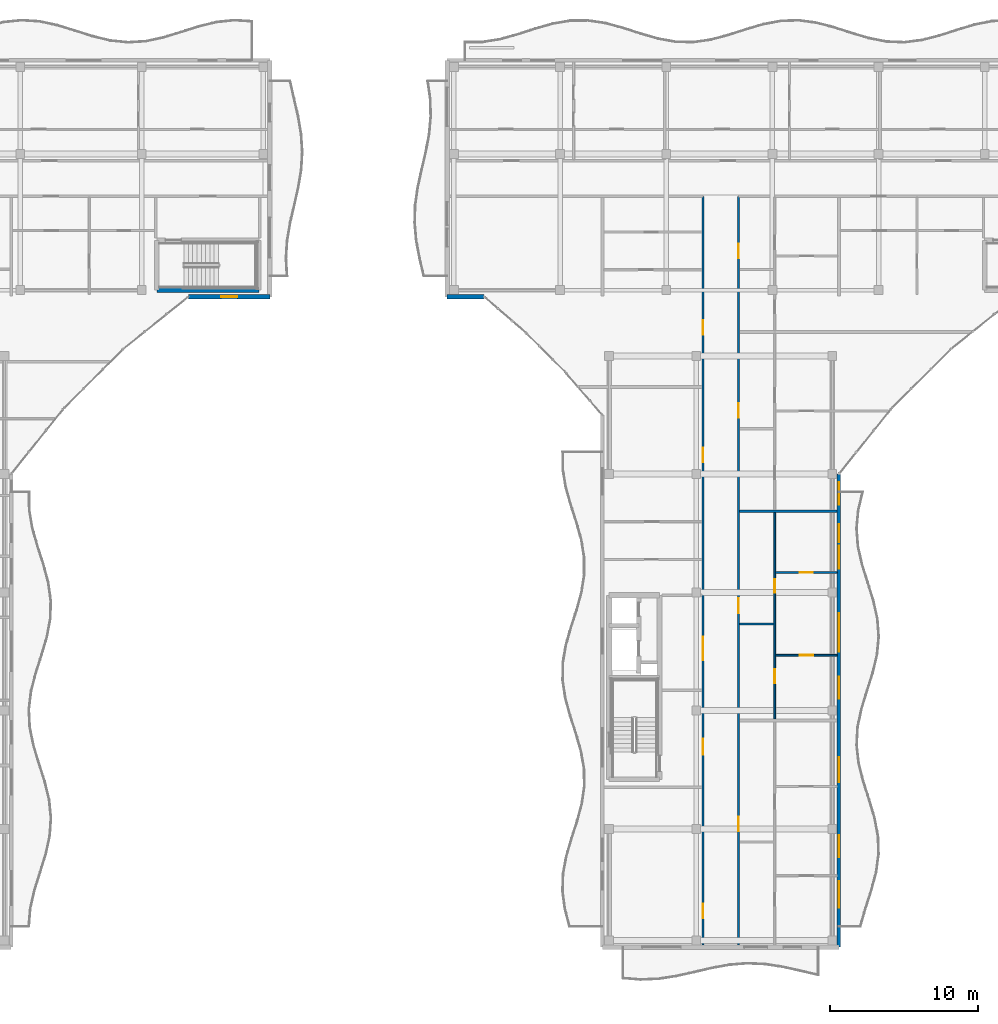
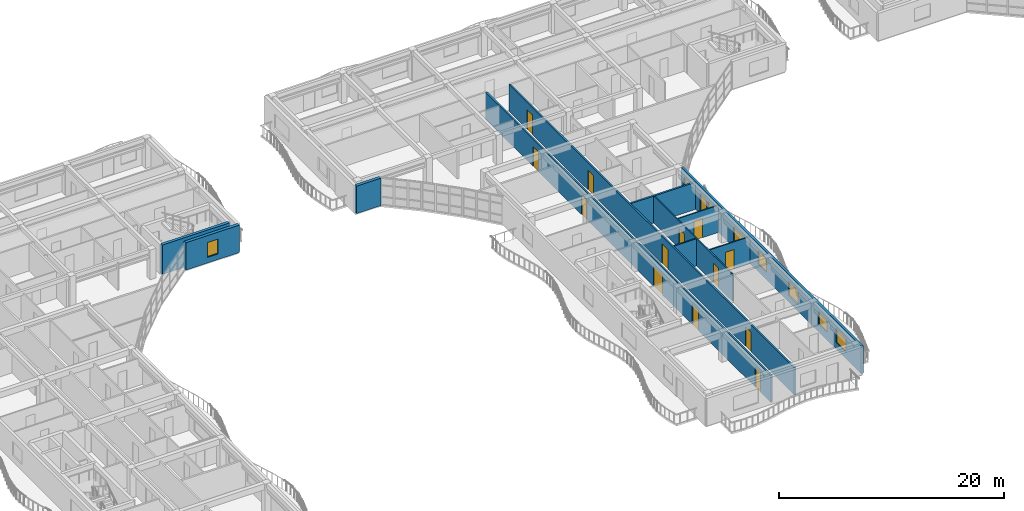
# One storey, part 38 of 72: 14 doors, 11 walls, 8 windows, 22 openings.
"""IFC4 building model written with IfcOpenShell, lengths in metres."""

from ifc_helpers import new_model, si_unit, direction, frame, frame_2d, origin, place, context, subcontext, project, spatial, rectangle, extrude, material, layer, layer_set, type_object, element, fill, save


model = new_model("IFC4")

# Units and contexts
model_context = context("Model", 3, precision=1e-05, world=origin(), true_north=direction((0.0, 1.0)))
body_context = subcontext(model_context, "Body", "Model", "MODEL_VIEW")
ifc_project = project(units=[si_unit("LENGTHUNIT", "METRE"), si_unit("AREAUNIT", "SQUARE_METRE"), si_unit("VOLUMEUNIT", "CUBIC_METRE"), si_unit("PLANEANGLEUNIT", "RADIAN"), si_unit("MASSUNIT", "GRAM", prefix="KILO")], contexts=[model_context])

# Site, building, storey
site_placement = place(None, origin())
site = spatial("IfcSite", under=ifc_project, at=site_placement, CompositionType="ELEMENT")
building_placement = place(site_placement, origin())
building = spatial("IfcBuilding", under=site, at=building_placement, Name="Keldmere Railside Commons", CompositionType="ELEMENT")
storey_placement = place(building_placement, frame((0.0, 0.0, 16.9599609375)))
storey = spatial("IfcBuildingStorey", under=building, at=storey_placement, Name="L05", CompositionType="ELEMENT", Elevation=16.9599609375)

# Wall
ifc_material_1 = material(Name="Acoustic Gypsum Board Partition", Category="gypsum")
ifc_layer_1 = layer(ifc_material_1, 0.179931640625, Name="Acoustic Demising Partition 180")
ifc_layer_set_1 = layer_set([ifc_layer_1], Name="Acoustic Gypsum Board Partition")
wall_type_1 = type_object("IfcWallType", Name="Acoustic Demising Partition 180", PredefinedType="PARTITIONING", material=ifc_layer_set_1)
wall_1_placement = place(storey_placement, frame((113.280029296875, 85.47998046875, 0.0), z_axis=(0.0, 0.0, 1.0), x_axis=(1.0, 0.0, 0.0)))
element("IfcWall", 1, at=wall_1_placement, inside=storey, type_object=wall_type_1, Name="IW-1 IW-L05-1105", PredefinedType="PARTITIONING", context=body_context, shape_type="SweptSolid", body=[
    extrude(rectangle(XDim=6.599853515625, YDim=0.179931640625, at=frame_2d((3.2998046875, 0.0))), origin(), (0.0, 0.0, 1.0), 2.93505859375),
])

# Wall, openings, doors
ifc_layer_2 = layer(ifc_material_1, 0.1201171875, Name="Apartment Interior Partition 120")
ifc_layer_set_2 = layer_set([ifc_layer_2], Name="Acoustic Gypsum Board Partition")
wall_type_2 = type_object("IfcWallType", Name="Apartment Interior Partition 120", PredefinedType="PARTITIONING", material=ifc_layer_set_2)
wall_2_placement = place(storey_placement, frame((115.659912109375, 71.419921875, 0.0), z_axis=(0.0, 0.0, 1.0), x_axis=(0.0, 1.0, 0.0)))
wall_2 = element("IfcWall", 2, at=wall_2_placement, inside=storey, type_object=wall_type_2, Name="IW-4 IW-L05-1111", PredefinedType="PARTITIONING", context=body_context, shape_type="SweptSolid", body=[
    extrude(rectangle(XDim=13.969970703125, YDim=0.1201171875, at=frame_2d((6.98486328125, 0.0))), origin(), (0.0, 0.0, 1.0), 2.93505859375),
])
opening_1_placement = place(wall_2_placement, frame((2.443359375, 0.0, 0.0)))
opening_1 = element("IfcOpeningElement", 3, at=opening_1_placement, cuts=wall_2, Name="Opening ID-05", PredefinedType="OPENING", context=body_context, shape_type="SweptSolid", body=[
    extrude(rectangle(XDim=0.93994140625, YDim=2.10009765625, at=frame_2d((0.469970703125, 1.050048828125))), frame((0.0, 0.070068359375, 0.0), z_axis=(0.0, -1.0, 0.0), x_axis=(1.0, 0.0, 0.0)), (0.0, 0.0, 1.0), 0.14013671875),
])
opening_2_placement = place(wall_2_placement, frame((8.541259765625, 0.0, 0.0)))
opening_2 = element("IfcOpeningElement", 4, at=opening_2_placement, cuts=wall_2, Name="Opening ID-03", PredefinedType="OPENING", context=body_context, shape_type="SweptSolid", body=[
    extrude(rectangle(XDim=0.919921875, YDim=2.10009765625, at=frame_2d((0.4599609375, 1.050048828125))), frame((0.0, 0.070068359375, 0.0), z_axis=(0.0, -1.0, 0.0), x_axis=(1.0, 0.0, 0.0)), (0.0, 0.0, 1.0), 0.14013671875),
])
ifc_material_2 = material(Name="Engineered Oak Timber", Category="wood")
door_type_1 = type_object("IfcDoorType", Name="Accessible Bathroom Door 940x2100", OperationType="NOTDEFINED", PredefinedType="DOOR", material=ifc_material_2)
door_1_placement = place(opening_1_placement, origin())
door_1 = element("IfcDoor", 5, at=door_1_placement, inside=storey, type_object=door_type_1, Name="ID-05 IDR-L05-0973", OperationType="SINGLE_SWING_LEFT", OverallHeight=2.10009765625, OverallWidth=0.93994140625, PredefinedType="DOOR", context=body_context, shape_type="SweptSolid", body=[
    extrude(rectangle(XDim=0.93994140625, YDim=2.10009765625, at=frame_2d((0.469970703125, 1.050048828125))), frame((0.0, 0.02490234375, 0.0), z_axis=(0.0, -1.0, 0.0), x_axis=(1.0, 0.0, 0.0)), (0.0, 0.0, 1.0), 0.050048828125),
])
fill(opening_1, door_1)
door_type_2 = type_object("IfcDoorType", Name="Kitchen Pocket-Frame Swing Door 920x2100", OperationType="NOTDEFINED", PredefinedType="DOOR", material=ifc_material_2)
door_2_placement = place(opening_2_placement, origin())
door_2 = element("IfcDoor", 6, at=door_2_placement, inside=storey, type_object=door_type_2, Name="ID-03 IDR-L05-0974", OperationType="SINGLE_SWING_RIGHT", OverallHeight=2.10009765625, OverallWidth=0.919921875, PredefinedType="DOOR", context=body_context, shape_type="SweptSolid", body=[
    extrude(rectangle(XDim=0.919921875, YDim=2.10009765625, at=frame_2d((0.4599609375, 1.050048828125))), frame((0.0, 0.02490234375, 0.0), z_axis=(0.0, -1.0, 0.0), x_axis=(1.0, 0.0, 0.0)), (0.0, 0.0, 1.0), 0.050048828125),
])
fill(opening_2, door_2)

# Wall, opening, door
wall_3_placement = place(storey_placement, frame((115.719970703125, 75.75, 0.0), z_axis=(0.0, 0.0, 1.0), x_axis=(1.0, 0.0, 0.0)))
wall_3 = element("IfcWall", 7, at=wall_3_placement, inside=storey, type_object=wall_type_2, Name="IW-4 IW-L05-1113", PredefinedType="PARTITIONING", context=body_context, shape_type="SweptSolid", body=[
    extrude(rectangle(XDim=4.159912109375, YDim=0.1201171875, at=frame_2d((2.080078125, 0.0))), origin(), (0.0, 0.0, 1.0), 2.93505859375),
])
opening_3_placement = place(wall_3_placement, frame((1.6298828125, 0.0, 0.0)))
opening_3 = element("IfcOpeningElement", 8, at=opening_3_placement, cuts=wall_3, Name="Opening ID-01", PredefinedType="OPENING", context=body_context, shape_type="SweptSolid", body=[
    extrude(rectangle(XDim=0.89990234375, YDim=2.10009765625, at=frame_2d((0.449951171875, 1.050048828125))), frame((0.0, 0.070068359375, 0.0), z_axis=(0.0, -1.0, 0.0), x_axis=(1.0, 0.0, 0.0)), (0.0, 0.0, 1.0), 0.14013671875),
])
door_type_3 = type_object("IfcDoorType", Name="Primary Bedroom Door 900x2100", OperationType="NOTDEFINED", PredefinedType="DOOR", material=ifc_material_2)
door_3_placement = place(opening_3_placement, origin())
door_3 = element("IfcDoor", 9, at=door_3_placement, inside=storey, type_object=door_type_3, Name="ID-01 IDR-L05-0976", OperationType="SINGLE_SWING_RIGHT", OverallHeight=2.10009765625, OverallWidth=0.89990234375, PredefinedType="DOOR", context=body_context, shape_type="SweptSolid", body=[
    extrude(rectangle(XDim=0.89990234375, YDim=2.10009765625, at=frame_2d((0.449951171875, 1.050048828125))), frame((0.0, 0.02490234375, 0.0), z_axis=(0.0, -1.0, 0.0), x_axis=(1.0, 0.0, 0.0)), (0.0, 0.0, 1.0), 0.050048828125),
])
fill(opening_3, door_3)

wall_4_placement = place(storey_placement, frame((115.719970703125, 81.340087890625, 0.0), z_axis=(0.0, 0.0, 1.0), x_axis=(1.0, 0.0, 0.0)))
wall_4 = element("IfcWall", 10, at=wall_4_placement, inside=storey, type_object=wall_type_2, Name="IW-4 IW-L05-1114", PredefinedType="PARTITIONING", context=body_context, shape_type="SweptSolid", body=[
    extrude(rectangle(XDim=4.159912109375, YDim=0.1201171875, at=frame_2d((2.080078125, 0.0))), origin(), (0.0, 0.0, 1.0), 2.93505859375),
])
opening_4_placement = place(wall_4_placement, frame((1.639892578125, 0.0, 0.0)))
opening_4 = element("IfcOpeningElement", 11, at=opening_4_placement, cuts=wall_4, Name="Opening ID-02", PredefinedType="OPENING", context=body_context, shape_type="SweptSolid", body=[
    extrude(rectangle(XDim=0.8798828125, YDim=2.10009765625, at=frame_2d((0.43994140625, 1.050048828125))), frame((0.0, 0.070068359375, 0.0), z_axis=(0.0, -1.0, 0.0), x_axis=(1.0, 0.0, 0.0)), (0.0, 0.0, 1.0), 0.14013671875),
])
door_type_4 = type_object("IfcDoorType", Name="Secondary Bedroom Door 880x2100", OperationType="NOTDEFINED", PredefinedType="DOOR", material=ifc_material_2)
door_4_placement = place(opening_4_placement, origin())
door_4 = element("IfcDoor", 12, at=door_4_placement, inside=storey, type_object=door_type_4, Name="ID-02 IDR-L05-0977", OperationType="SINGLE_SWING_LEFT", OverallHeight=2.10009765625, OverallWidth=0.8798828125, PredefinedType="DOOR", context=body_context, shape_type="SweptSolid", body=[
    extrude(rectangle(XDim=0.8798828125, YDim=2.10009765625, at=frame_2d((0.43994140625, 1.050048828125))), frame((0.0, 0.02490234375, 0.0), z_axis=(0.0, -1.0, 0.0), x_axis=(1.0, 0.0, 0.0)), (0.0, 0.0, 1.0), 0.050048828125),
])
fill(opening_4, door_4)

# Wall, openings, doors
ifc_layer_3 = layer(ifc_material_1, 0.159912109375, Name="Corridor Fire Partition 160")
ifc_layer_set_3 = layer_set([ifc_layer_3], Name="Acoustic Gypsum Board Partition")
wall_type_3 = type_object("IfcWallType", Name="Corridor Fire Partition 160", PredefinedType="PARTITIONING", material=ifc_layer_set_3)
wall_5_placement = place(storey_placement, frame((110.800048828125, 56.159912109375, 0.0), z_axis=(0.0, 0.0, 1.0), x_axis=(0.0, 1.0, 0.0)))
wall_5 = element("IfcWall", 13, at=wall_5_placement, inside=storey, type_object=wall_type_3, Name="IW-2 IW-L05-1095", PredefinedType="PARTITIONING", context=body_context, shape_type="SweptSolid", body=[
    extrude(rectangle(XDim=50.64013671875, YDim=0.159912109375, at=frame_2d((25.320068359375, 0.0))), origin(), (0.0, 0.0, 1.0), 2.93505859375),
])
opening_5_placement = place(wall_5_placement, frame((12.840087890625, 0.0, 0.0)))
opening_5 = element("IfcOpeningElement", 14, at=opening_5_placement, cuts=wall_5, Name="Opening FD-2", PredefinedType="OPENING", context=body_context, shape_type="SweptSolid", body=[
    extrude(rectangle(XDim=1.10009765625, YDim=2.14990234375, at=frame_2d((0.550048828125, 1.074951171875))), frame((0.0, 0.08984375, 0.0), z_axis=(0.0, -1.0, 0.0), x_axis=(1.0, 0.0, 0.0)), (0.0, 0.0, 1.0), 0.179931640625),
])
opening_6_placement = place(wall_5_placement, frame((19.239990234375, 0.0, 0.0)))
opening_6 = element("IfcOpeningElement", 15, at=opening_6_placement, cuts=wall_5, Name="Opening FD-4", PredefinedType="OPENING", context=body_context, shape_type="SweptSolid", body=[
    extrude(rectangle(XDim=1.60009765625, YDim=2.14990234375, at=frame_2d((0.800048828125, 1.074951171875))), frame((0.0, 0.08984375, 0.0), z_axis=(0.0, -1.0, 0.0), x_axis=(1.0, 0.0, 0.0)), (0.0, 0.0, 1.0), 0.179931640625),
])
opening_7_placement = place(wall_5_placement, frame((1.800048828125, 0.0, 0.0)))
opening_7 = element("IfcOpeningElement", 16, at=opening_7_placement, cuts=wall_5, Name="Opening ID-08", PredefinedType="OPENING", context=body_context, shape_type="SweptSolid", body=[
    extrude(rectangle(XDim=0.9599609375, YDim=2.14990234375, at=frame_2d((0.47998046875, 1.074951171875))), frame((0.0, 0.08984375, 0.0), z_axis=(0.0, -1.0, 0.0), x_axis=(1.0, 0.0, 0.0)), (0.0, 0.0, 1.0), 0.179931640625),
])
opening_8_placement = place(wall_5_placement, frame((32.64501953125, 0.0, 0.0)))
opening_8 = element("IfcOpeningElement", 17, at=opening_8_placement, cuts=wall_5, Name="Opening FD-7", PredefinedType="OPENING", context=body_context, shape_type="SweptSolid", body=[
    extrude(rectangle(XDim=0.97998046875, YDim=2.14990234375, at=frame_2d((0.489990234375, 1.074951171875))), frame((0.0, 0.08984375, 0.0), z_axis=(0.0, -1.0, 0.0), x_axis=(1.0, 0.0, 0.0)), (0.0, 0.0, 1.0), 0.179931640625),
])
opening_9_placement = place(wall_5_placement, frame((41.2548828125, 0.0, 0.0)))
opening_9 = element("IfcOpeningElement", 18, at=opening_9_placement, cuts=wall_5, Name="Opening FD-7", PredefinedType="OPENING", context=body_context, shape_type="SweptSolid", body=[
    extrude(rectangle(XDim=0.97998046875, YDim=2.14990234375, at=frame_2d((0.489990234375, 1.074951171875))), frame((0.0, 0.08984375, 0.0), z_axis=(0.0, -1.0, 0.0), x_axis=(1.0, 0.0, 0.0)), (0.0, 0.0, 1.0), 0.179931640625),
])
door_type_5 = type_object("IfcDoorType", Name="Apartment Entrance Acoustic Fire Door 980x2150", OperationType="NOTDEFINED", PredefinedType="DOOR", material=ifc_material_2)
door_5_placement = place(opening_8_placement, origin())
door_5 = element("IfcDoor", 19, at=door_5_placement, inside=storey, type_object=door_type_5, Name="FD-7 IDR-L05-1008", OperationType="SINGLE_SWING_RIGHT", OverallHeight=2.14990234375, OverallWidth=0.97998046875, PredefinedType="DOOR", context=body_context, shape_type="SweptSolid", body=[
    extrude(rectangle(XDim=0.97998046875, YDim=2.14990234375, at=frame_2d((0.489990234375, 1.074951171875))), frame((0.0, 0.02490234375, 0.0), z_axis=(0.0, -1.0, 0.0), x_axis=(1.0, 0.0, 0.0)), (0.0, 0.0, 1.0), 0.050048828125),
])
fill(opening_8, door_5)
door_6_placement = place(opening_9_placement, origin())
door_6 = element("IfcDoor", 20, at=door_6_placement, inside=storey, type_object=door_type_5, Name="FD-7 IDR-L05-1011", OperationType="SINGLE_SWING_LEFT", OverallHeight=2.14990234375, OverallWidth=0.97998046875, PredefinedType="DOOR", context=body_context, shape_type="SweptSolid", body=[
    extrude(rectangle(XDim=0.97998046875, YDim=2.14990234375, at=frame_2d((0.489990234375, 1.074951171875))), frame((0.0, 0.02490234375, 0.0), z_axis=(0.0, -1.0, 0.0), x_axis=(1.0, 0.0, 0.0)), (0.0, 0.0, 1.0), 0.050048828125),
])
fill(opening_9, door_6)
ifc_material_3 = material(Name="Steel F-24 (S235)", Category="steel")
door_type_6 = type_object("IfcDoorType", Name="Corridor Cross-Compartment Double Fire Door 1600x2150", OperationType="DOUBLE_DOOR_SINGLE_SWING", PredefinedType="DOOR", material=ifc_material_3)
door_7_placement = place(opening_6_placement, origin())
door_7 = element("IfcDoor", 21, at=door_7_placement, inside=storey, type_object=door_type_6, Name="FD-4 IDR-L05-0967", OperationType="DOUBLE_DOOR_SINGLE_SWING", OverallHeight=2.14990234375, OverallWidth=1.60009765625, PredefinedType="DOOR", context=body_context, shape_type="SweptSolid", body=[
    extrude(rectangle(XDim=1.60009765625, YDim=2.14990234375, at=frame_2d((0.800048828125, 1.074951171875))), frame((0.0, 0.02490234375, 0.0), z_axis=(0.0, -1.0, 0.0), x_axis=(1.0, 0.0, 0.0)), (0.0, 0.0, 1.0), 0.050048828125),
])
fill(opening_6, door_7)
door_type_7 = type_object("IfcDoorType", Name="Firefighting Lobby Fire Door 1100x2150", OperationType="NOTDEFINED", PredefinedType="DOOR", material=ifc_material_3)
door_8_placement = place(opening_5_placement, origin())
door_8 = element("IfcDoor", 22, at=door_8_placement, inside=storey, type_object=door_type_7, Name="FD-2 IDR-L05-0966", OperationType="SINGLE_SWING_RIGHT", OverallHeight=2.14990234375, OverallWidth=1.10009765625, PredefinedType="DOOR", context=body_context, shape_type="SweptSolid", body=[
    extrude(rectangle(XDim=1.10009765625, YDim=2.14990234375, at=frame_2d((0.550048828125, 1.074951171875))), frame((0.0, 0.02490234375, 0.0), z_axis=(0.0, -1.0, 0.0), x_axis=(1.0, 0.0, 0.0)), (0.0, 0.0, 1.0), 0.050048828125),
])
fill(opening_5, door_8)
door_type_8 = type_object("IfcDoorType", Name="Study & Meeting Room Door 960x2150", OperationType="NOTDEFINED", PredefinedType="DOOR", material=ifc_material_2)
door_9_placement = place(opening_7_placement, origin())
door_9 = element("IfcDoor", 23, at=door_9_placement, inside=storey, type_object=door_type_8, Name="ID-08 IDR-L05-1005", OperationType="SINGLE_SWING_LEFT", OverallHeight=2.14990234375, OverallWidth=0.9599609375, PredefinedType="DOOR", context=body_context, shape_type="SweptSolid", body=[
    extrude(rectangle(XDim=0.9599609375, YDim=2.14990234375, at=frame_2d((0.47998046875, 1.074951171875))), frame((0.0, 0.02490234375, 0.0), z_axis=(0.0, -1.0, 0.0), x_axis=(1.0, 0.0, 0.0)), (0.0, 0.0, 1.0), 0.050048828125),
])
fill(opening_7, door_9)

wall_6_placement = place(storey_placement, frame((113.199951171875, 56.159912109375, 0.0), z_axis=(0.0, 0.0, 1.0), x_axis=(0.0, 1.0, 0.0)))
wall_6 = element("IfcWall", 24, at=wall_6_placement, inside=storey, type_object=wall_type_3, Name="IW-2 IW-L05-1096", PredefinedType="PARTITIONING", context=body_context, shape_type="SweptSolid", body=[
    extrude(rectangle(XDim=50.64013671875, YDim=0.159912109375, at=frame_2d((25.320068359375, 0.0))), origin(), (0.0, 0.0, 1.0), 2.93505859375),
])
opening_10_placement = place(wall_6_placement, frame((7.68994140625, 0.0, 0.0)))
opening_10 = element("IfcOpeningElement", 25, at=opening_10_placement, cuts=wall_6, Name="Opening FD-7", PredefinedType="OPENING", context=body_context, shape_type="SweptSolid", body=[
    extrude(rectangle(XDim=0.97998046875, YDim=2.14990234375, at=frame_2d((0.489990234375, 1.074951171875))), frame((0.0, 0.08984375, 0.0), z_axis=(0.0, -1.0, 0.0), x_axis=(1.0, 0.0, 0.0)), (0.0, 0.0, 1.0), 0.179931640625),
])
opening_11_placement = place(wall_6_placement, frame((22.43994140625, 0.0, 0.0)))
opening_11 = element("IfcOpeningElement", 26, at=opening_11_placement, cuts=wall_6, Name="Opening FD-8", PredefinedType="OPENING", context=body_context, shape_type="SweptSolid", body=[
    extrude(rectangle(XDim=1.02001953125, YDim=2.14990234375, at=frame_2d((0.510009765625, 1.074951171875))), frame((0.0, 0.08984375, 0.0), z_axis=(0.0, -1.0, 0.0), x_axis=(1.0, 0.0, 0.0)), (0.0, 0.0, 1.0), 0.179931640625),
])
opening_12_placement = place(wall_6_placement, frame((35.659912109375, 0.0, 0.0)))
opening_12 = element("IfcOpeningElement", 27, at=opening_12_placement, cuts=wall_6, Name="Opening FD-7", PredefinedType="OPENING", context=body_context, shape_type="SweptSolid", body=[
    extrude(rectangle(XDim=0.97998046875, YDim=2.14990234375, at=frame_2d((0.489990234375, 1.074951171875))), frame((0.0, 0.08984375, 0.0), z_axis=(0.0, -1.0, 0.0), x_axis=(1.0, 0.0, 0.0)), (0.0, 0.0, 1.0), 0.179931640625),
])
opening_13_placement = place(wall_6_placement, frame((46.43994140625, 0.0, 0.0)))
opening_13 = element("IfcOpeningElement", 28, at=opening_13_placement, cuts=wall_6, Name="Opening FD-7", PredefinedType="OPENING", context=body_context, shape_type="SweptSolid", body=[
    extrude(rectangle(XDim=0.97998046875, YDim=2.14990234375, at=frame_2d((0.489990234375, 1.074951171875))), frame((0.0, 0.08984375, 0.0), z_axis=(0.0, -1.0, 0.0), x_axis=(1.0, 0.0, 0.0)), (0.0, 0.0, 1.0), 0.179931640625),
])
door_type_9 = type_object("IfcDoorType", Name="Adaptable Apartment Entrance Fire Door 1020x2150", OperationType="NOTDEFINED", PredefinedType="DOOR", material=ifc_material_2)
door_10_placement = place(opening_11_placement, origin())
door_10 = element("IfcDoor", 29, at=door_10_placement, inside=storey, type_object=door_type_9, Name="FD-8 IDR-L05-0975", OperationType="SINGLE_SWING_LEFT", OverallHeight=2.14990234375, OverallWidth=1.02001953125, PredefinedType="DOOR", context=body_context, shape_type="SweptSolid", body=[
    extrude(rectangle(XDim=1.02001953125, YDim=2.14990234375, at=frame_2d((0.510009765625, 1.074951171875))), frame((0.0, 0.02490234375, 0.0), z_axis=(0.0, -1.0, 0.0), x_axis=(1.0, 0.0, 0.0)), (0.0, 0.0, 1.0), 0.050048828125),
])
fill(opening_11, door_10)
door_11_placement = place(opening_10_placement, origin())
door_11 = element("IfcDoor", 30, at=door_11_placement, inside=storey, type_object=door_type_5, Name="FD-7 IDR-L05-0970", OperationType="SINGLE_SWING_RIGHT", OverallHeight=2.14990234375, OverallWidth=0.97998046875, PredefinedType="DOOR", context=body_context, shape_type="SweptSolid", body=[
    extrude(rectangle(XDim=0.97998046875, YDim=2.14990234375, at=frame_2d((0.489990234375, 1.074951171875))), frame((0.0, 0.02490234375, 0.0), z_axis=(0.0, -1.0, 0.0), x_axis=(1.0, 0.0, 0.0)), (0.0, 0.0, 1.0), 0.050048828125),
])
fill(opening_10, door_11)
door_12_placement = place(opening_12_placement, origin())
door_12 = element("IfcDoor", 31, at=door_12_placement, inside=storey, type_object=door_type_5, Name="FD-7 IDR-L05-0980", OperationType="SINGLE_SWING_RIGHT", OverallHeight=2.14990234375, OverallWidth=0.97998046875, PredefinedType="DOOR", context=body_context, shape_type="SweptSolid", body=[
    extrude(rectangle(XDim=0.97998046875, YDim=2.14990234375, at=frame_2d((0.489990234375, 1.074951171875))), frame((0.0, 0.02490234375, 0.0), z_axis=(0.0, -1.0, 0.0), x_axis=(1.0, 0.0, 0.0)), (0.0, 0.0, 1.0), 0.050048828125),
])
fill(opening_12, door_12)
door_13_placement = place(opening_13_placement, origin())
door_13 = element("IfcDoor", 32, at=door_13_placement, inside=storey, type_object=door_type_5, Name="FD-7 IDR-L05-0984", OperationType="SINGLE_SWING_RIGHT", OverallHeight=2.14990234375, OverallWidth=0.97998046875, PredefinedType="DOOR", context=body_context, shape_type="SweptSolid", body=[
    extrude(rectangle(XDim=0.97998046875, YDim=2.14990234375, at=frame_2d((0.489990234375, 1.074951171875))), frame((0.0, 0.02490234375, 0.0), z_axis=(0.0, -1.0, 0.0), x_axis=(1.0, 0.0, 0.0)), (0.0, 0.0, 1.0), 0.050048828125),
])
fill(opening_13, door_13)

# Wall, opening, window
ifc_material_4 = material(Name="Concrete H-35 (C35/45)", Category="concrete")
ifc_layer_4 = layer(ifc_material_4, 0.320068359375, Name="Exterior Shear Wall 320")
ifc_layer_set_4 = layer_set([ifc_layer_4], Name="Concrete H-35 (C35/45)")
wall_type_4 = type_object("IfcWallType", Name="Exterior Shear Wall 320", PredefinedType="SHEAR", material=ifc_layer_set_4)
wall_7_placement = place(storey_placement, frame((81.5, 100.0, 0.0), z_axis=(0.0, 0.0, 1.0), x_axis=(-1.0, 0.0, 0.0)))
wall_7 = element("IfcWall", 33, at=wall_7_placement, inside=storey, type_object=wall_type_4, Name="ESW-2 EXTC-L05-0364", PredefinedType="SHEAR", context=body_context, shape_type="SweptSolid", body=[
    extrude(rectangle(XDim=5.5, YDim=0.320068359375, at=frame_2d((2.75, 0.0))), origin(), (0.0, 0.0, 1.0), 2.97998046875),
])
opening_14_placement = place(wall_7_placement, frame((2.199951171875, 0.0, 0.6201171875)))
opening_14 = element("IfcOpeningElement", 34, at=opening_14_placement, cuts=wall_7, Name="Opening WN-16", PredefinedType="OPENING", context=body_context, shape_type="SweptSolid", body=[
    extrude(rectangle(XDim=1.10009765625, YDim=1.60009765625, at=frame_2d((0.550048828125, 0.800048828125))), frame((0.0, 0.169921875, 0.0), z_axis=(0.0, -1.0, 0.0), x_axis=(1.0, 0.0, 0.0)), (0.0, 0.0, 1.0), 0.340087890625),
])
ifc_material_5 = material(Name="Low-E Insulated Double Glazing", Category="glass")
window_type_1 = type_object("IfcWindowType", Name="Corridor End Daylight Window 1100x1600", PartitioningType="SINGLE_PANEL", PredefinedType="WINDOW", material=ifc_material_5)
window_1_placement = place(opening_14_placement, origin())
window_1 = element("IfcWindow", 35, at=window_1_placement, inside=storey, type_object=window_type_1, Name="WN-16 WIN-L05-0254", OverallHeight=1.60009765625, OverallWidth=1.10009765625, PartitioningType="SINGLE_PANEL", PredefinedType="WINDOW", context=body_context, shape_type="SweptSolid", body=[
    extrude(rectangle(XDim=1.10009765625, YDim=1.60009765625, at=frame_2d((0.550048828125, 0.800048828125))), frame((0.0, 0.030029296875, 0.0), z_axis=(0.0, -1.0, 0.0), x_axis=(1.0, 0.0, 0.0)), (0.0, 0.0, 1.0), 0.06005859375),
])
fill(opening_14, window_1)

# Walls
wall_8_placement = place(storey_placement, frame((96.0, 100.0, 0.0), z_axis=(0.0, 0.0, 1.0), x_axis=(-1.0, 0.0, 0.0)))
element("IfcWall", 36, at=wall_8_placement, inside=storey, type_object=wall_type_4, Name="ESW-2 EXTB-L05-0626", PredefinedType="SHEAR", context=body_context, shape_type="SweptSolid", body=[
    extrude(rectangle(XDim=2.5, YDim=0.320068359375, at=frame_2d((1.25, 0.0))), origin(), (0.0, 0.0, 1.0), 2.97998046875),
])
ifc_layer_5 = layer(ifc_material_4, 0.300048828125, Name="Interior Shear Wall 300")
ifc_layer_set_5 = layer_set([ifc_layer_5], Name="Concrete H-35 (C35/45)")
wall_type_5 = type_object("IfcWallType", Name="Interior Shear Wall 300", PredefinedType="SHEAR", material=ifc_layer_set_5)
wall_9_placement = place(storey_placement, frame((73.85009765625, 100.449951171875, 0.0), z_axis=(0.0, 0.0, 1.0), x_axis=(1.0, 0.0, 0.0)))
element("IfcWall", 37, at=wall_9_placement, inside=storey, type_object=wall_type_5, Name="ISW-2 COREC2S-L05-0266", PredefinedType="SHEAR", context=body_context, shape_type="SweptSolid", body=[
    extrude(rectangle(XDim=6.89990234375, YDim=0.300048828125, at=frame_2d((3.449951171875, 0.0))), origin(), (0.0, 0.0, 1.0), 3.199951171875),
])

# Wall, openings, door, windows
ifc_material_6 = material(Name="Architectural Precast Concrete H-35 (C35/45)", Category="concrete")
ifc_layer_6 = layer(ifc_material_6, 0.239990234375, Name="Sand-Ochre Precast Cavity Wall 240")
ifc_layer_set_6 = layer_set([ifc_layer_6], Name="Architectural Precast Concrete H-35 (C35/45)")
wall_type_6 = type_object("IfcWallType", Name="Sand-Ochre Precast Cavity Wall 240", PredefinedType="SOLIDWALL", material=ifc_layer_set_6)
wall_10_placement = place(storey_placement, frame((120.0, 88.0, 0.0), z_axis=(0.0, 0.0, 1.0), x_axis=(0.0, -1.0, 0.0)))
wall_10 = element("IfcWall", 38, at=wall_10_placement, inside=storey, type_object=wall_type_6, Name="EW-2 EXTB-L05-0621", PredefinedType="SOLIDWALL", context=body_context, shape_type="SweptSolid", body=[
    extrude(rectangle(XDim=32.0, YDim=0.239990234375, at=frame_2d((16.0, 0.0))), origin(), (0.0, 0.0, 1.0), 2.97998046875),
])
opening_15_placement = place(wall_10_placement, frame((3.39990234375, 0.0, 0.0)))
opening_15 = element("IfcOpeningElement", 39, at=opening_15_placement, cuts=wall_10, Name="Opening BD-01", PredefinedType="OPENING", context=body_context, shape_type="SweptSolid", body=[
    extrude(rectangle(XDim=1.199951171875, YDim=2.199951171875, at=frame_2d((0.60009765625, 1.10009765625))), frame((0.0, 0.1298828125, 0.0), z_axis=(0.0, -1.0, 0.0), x_axis=(1.0, 0.0, 0.0)), (0.0, 0.0, 1.0), 0.260009765625),
])
opening_16_placement = place(wall_10_placement, frame((4.85009765625, 0.0, 0.820068359375)))
opening_16 = element("IfcOpeningElement", 40, at=opening_16_placement, cuts=wall_10, Name="Opening WN-07", PredefinedType="OPENING", context=body_context, shape_type="SweptSolid", body=[
    extrude(rectangle(XDim=1.550048828125, YDim=1.39990234375, at=frame_2d((0.77490234375, 0.699951171875))), frame((0.0, 0.1298828125, 0.0), z_axis=(0.0, -1.0, 0.0), x_axis=(1.0, 0.0, 0.0)), (0.0, 0.0, 1.0), 0.260009765625),
])
opening_17_placement = place(wall_10_placement, frame((9.39990234375, 0.0, 0.669921875)))
opening_17 = element("IfcOpeningElement", 41, at=opening_17_placement, cuts=wall_10, Name="Opening WN-39", PredefinedType="OPENING", context=body_context, shape_type="SweptSolid", body=[
    extrude(rectangle(XDim=2.60009765625, YDim=1.550048828125, at=frame_2d((1.300048828125, 0.77490234375))), frame((0.0, 0.1298828125, 0.0), z_axis=(0.0, -1.0, 0.0), x_axis=(1.0, 0.0, 0.0)), (0.0, 0.0, 1.0), 0.260009765625),
])
opening_18_placement = place(wall_10_placement, frame((19.159912109375, 0.0, 0.719970703125)))
opening_18 = element("IfcOpeningElement", 42, at=opening_18_placement, cuts=wall_10, Name="Opening WN-40", PredefinedType="OPENING", context=body_context, shape_type="SweptSolid", body=[
    extrude(rectangle(XDim=1.679931640625, YDim=1.5, at=frame_2d((0.83984375, 0.75))), frame((0.0, 0.1298828125, 0.0), z_axis=(0.0, -1.0, 0.0), x_axis=(1.0, 0.0, 0.0)), (0.0, 0.0, 1.0), 0.260009765625),
])
opening_19_placement = place(wall_10_placement, frame((27.550048828125, 0.0, 0.719970703125)))
opening_19 = element("IfcOpeningElement", 43, at=opening_19_placement, cuts=wall_10, Name="Opening WN-01", PredefinedType="OPENING", context=body_context, shape_type="SweptSolid", body=[
    extrude(rectangle(XDim=1.800048828125, YDim=1.5, at=frame_2d((0.89990234375, 0.75))), frame((0.0, 0.1298828125, 0.0), z_axis=(0.0, -1.0, 0.0), x_axis=(1.0, 0.0, 0.0)), (0.0, 0.0, 1.0), 0.260009765625),
])
opening_20_placement = place(wall_10_placement, frame((24.425048828125, 0.0, 0.820068359375)))
opening_20 = element("IfcOpeningElement", 44, at=opening_20_placement, cuts=wall_10, Name="Opening WN-06", PredefinedType="OPENING", context=body_context, shape_type="SweptSolid", body=[
    extrude(rectangle(XDim=1.5, YDim=1.39990234375, at=frame_2d((0.75, 0.699951171875))), frame((0.0, 0.1298828125, 0.0), z_axis=(0.0, -1.0, 0.0), x_axis=(1.0, 0.0, 0.0)), (0.0, 0.0, 1.0), 0.260009765625),
])
opening_21_placement = place(wall_10_placement, frame((13.68994140625, 0.0, 0.820068359375)))
opening_21 = element("IfcOpeningElement", 45, at=opening_21_placement, cuts=wall_10, Name="Opening WN-06", PredefinedType="OPENING", context=body_context, shape_type="SweptSolid", body=[
    extrude(rectangle(XDim=1.5, YDim=1.39990234375, at=frame_2d((0.75, 0.699951171875))), frame((0.0, 0.1298828125, 0.0), z_axis=(0.0, -1.0, 0.0), x_axis=(1.0, 0.0, 0.0)), (0.0, 0.0, 1.0), 0.260009765625),
])
opening_22_placement = place(wall_10_placement, frame((0.554931640625, 0.0, 0.820068359375)))
opening_22 = element("IfcOpeningElement", 46, at=opening_22_placement, cuts=wall_10, Name="Opening WN-06", PredefinedType="OPENING", context=body_context, shape_type="SweptSolid", body=[
    extrude(rectangle(XDim=1.5, YDim=1.39990234375, at=frame_2d((0.75, 0.699951171875))), frame((0.0, 0.1298828125, 0.0), z_axis=(0.0, -1.0, 0.0), x_axis=(1.0, 0.0, 0.0)), (0.0, 0.0, 1.0), 0.260009765625),
])
ifc_material_7 = material(Name="Thermally Broken Aluminium", Category="aluminium")
door_type_10 = type_object("IfcDoorType", Name="Apartment Living Wave-Balcony Glazed Door 1200x2200", OperationType="NOTDEFINED", PredefinedType="DOOR", material=ifc_material_7)
door_14_placement = place(opening_15_placement, origin())
door_14 = element("IfcDoor", 47, at=door_14_placement, inside=storey, type_object=door_type_10, Name="BD-01 DR-L05-0161", OperationType="SINGLE_SWING_LEFT", OverallHeight=2.199951171875, OverallWidth=1.199951171875, PredefinedType="DOOR", context=body_context, shape_type="SweptSolid", body=[
    extrude(rectangle(XDim=1.199951171875, YDim=2.199951171875, at=frame_2d((0.60009765625, 1.10009765625))), frame((0.0, 0.02490234375, 0.0), z_axis=(0.0, -1.0, 0.0), x_axis=(1.0, 0.0, 0.0)), (0.0, 0.0, 1.0), 0.050048828125),
])
fill(opening_15, door_14)
window_type_2 = type_object("IfcWindowType", Name="Living Room North Casement Window 1800x1500", PartitioningType="SINGLE_PANEL", PredefinedType="WINDOW", material=ifc_material_5)
window_2_placement = place(opening_19_placement, origin())
window_2 = element("IfcWindow", 48, at=window_2_placement, inside=storey, type_object=window_type_2, Name="WN-01 WIN-L05-0441", OverallHeight=1.5, OverallWidth=1.800048828125, PartitioningType="SINGLE_PANEL", PredefinedType="WINDOW", context=body_context, shape_type="SweptSolid", body=[
    extrude(rectangle(XDim=1.800048828125, YDim=1.5, at=frame_2d((0.89990234375, 0.75))), frame((0.0, 0.030029296875, 0.0), z_axis=(0.0, -1.0, 0.0), x_axis=(1.0, 0.0, 0.0)), (0.0, 0.0, 1.0), 0.06005859375),
])
fill(opening_19, window_2)
window_type_3 = type_object("IfcWindowType", Name="Primary Bedroom North Window 1500x1400", PartitioningType="SINGLE_PANEL", PredefinedType="WINDOW", material=ifc_material_5)
window_3_placement = place(opening_20_placement, origin())
window_3 = element("IfcWindow", 49, at=window_3_placement, inside=storey, type_object=window_type_3, Name="WN-06 WIN-L05-9043", OverallHeight=1.39990234375, OverallWidth=1.5, PartitioningType="SINGLE_PANEL", PredefinedType="WINDOW", context=body_context, shape_type="SweptSolid", body=[
    extrude(rectangle(XDim=1.5, YDim=1.39990234375, at=frame_2d((0.75, 0.699951171875))), frame((0.0, 0.030029296875, 0.0), z_axis=(0.0, -1.0, 0.0), x_axis=(1.0, 0.0, 0.0)), (0.0, 0.0, 1.0), 0.06005859375),
])
fill(opening_20, window_3)
window_4_placement = place(opening_21_placement, origin())
window_4 = element("IfcWindow", 50, at=window_4_placement, inside=storey, type_object=window_type_3, Name="WN-06 WIN-L05-9044", OverallHeight=1.39990234375, OverallWidth=1.5, PartitioningType="SINGLE_PANEL", PredefinedType="WINDOW", context=body_context, shape_type="SweptSolid", body=[
    extrude(rectangle(XDim=1.5, YDim=1.39990234375, at=frame_2d((0.75, 0.699951171875))), frame((0.0, 0.030029296875, 0.0), z_axis=(0.0, -1.0, 0.0), x_axis=(1.0, 0.0, 0.0)), (0.0, 0.0, 1.0), 0.06005859375),
])
fill(opening_21, window_4)
window_5_placement = place(opening_22_placement, origin())
window_5 = element("IfcWindow", 51, at=window_5_placement, inside=storey, type_object=window_type_3, Name="WN-06 WIN-L05-9045", OverallHeight=1.39990234375, OverallWidth=1.5, PartitioningType="SINGLE_PANEL", PredefinedType="WINDOW", context=body_context, shape_type="SweptSolid", body=[
    extrude(rectangle(XDim=1.5, YDim=1.39990234375, at=frame_2d((0.75, 0.699951171875))), frame((0.0, 0.030029296875, 0.0), z_axis=(0.0, -1.0, 0.0), x_axis=(1.0, 0.0, 0.0)), (0.0, 0.0, 1.0), 0.06005859375),
])
fill(opening_22, window_5)
window_type_4 = type_object("IfcWindowType", Name="Primary Bedroom South Window 1550x1400", PartitioningType="SINGLE_PANEL", PredefinedType="WINDOW", material=ifc_material_5)
window_6_placement = place(opening_16_placement, origin())
window_6 = element("IfcWindow", 52, at=window_6_placement, inside=storey, type_object=window_type_4, Name="WN-07 WIN-L05-0438", OverallHeight=1.39990234375, OverallWidth=1.550048828125, PartitioningType="SINGLE_PANEL", PredefinedType="WINDOW", context=body_context, shape_type="SweptSolid", body=[
    extrude(rectangle(XDim=1.550048828125, YDim=1.39990234375, at=frame_2d((0.77490234375, 0.699951171875))), frame((0.0, 0.030029296875, 0.0), z_axis=(0.0, -1.0, 0.0), x_axis=(1.0, 0.0, 0.0)), (0.0, 0.0, 1.0), 0.06005859375),
])
fill(opening_16, window_6)
window_type_5 = type_object("IfcWindowType", Name="Three-Bed Corner Living Window 2600x1550", PartitioningType="SINGLE_PANEL", PredefinedType="WINDOW", material=ifc_material_5)
window_7_placement = place(opening_17_placement, origin())
window_7 = element("IfcWindow", 53, at=window_7_placement, inside=storey, type_object=window_type_5, Name="WN-39 WIN-L05-0439", OverallHeight=1.550048828125, OverallWidth=2.60009765625, PartitioningType="SINGLE_PANEL", PredefinedType="WINDOW", context=body_context, shape_type="SweptSolid", body=[
    extrude(rectangle(XDim=2.60009765625, YDim=1.550048828125, at=frame_2d((1.300048828125, 0.77490234375))), frame((0.0, 0.030029296875, 0.0), z_axis=(0.0, -1.0, 0.0), x_axis=(1.0, 0.0, 0.0)), (0.0, 0.0, 1.0), 0.06005859375),
])
fill(opening_17, window_7)
window_type_6 = type_object("IfcWindowType", Name="Two-Bed Dining Casement Window 1680x1500", PartitioningType="SINGLE_PANEL", PredefinedType="WINDOW", material=ifc_material_5)
window_8_placement = place(opening_18_placement, origin())
window_8 = element("IfcWindow", 54, at=window_8_placement, inside=storey, type_object=window_type_6, Name="WN-40 WIN-L05-0440", OverallHeight=1.5, OverallWidth=1.679931640625, PartitioningType="SINGLE_PANEL", PredefinedType="WINDOW", context=body_context, shape_type="SweptSolid", body=[
    extrude(rectangle(XDim=1.679931640625, YDim=1.5, at=frame_2d((0.83984375, 0.75))), frame((0.0, 0.030029296875, 0.0), z_axis=(0.0, -1.0, 0.0), x_axis=(1.0, 0.0, 0.0)), (0.0, 0.0, 1.0), 0.06005859375),
])
fill(opening_18, window_8)

# Wall
ifc_layer_7 = layer(ifc_material_1, 0.139892578125, Name="Wet-Room Sanitary Partition 140")
ifc_layer_set_7 = layer_set([ifc_layer_7], Name="Acoustic Gypsum Board Partition")
wall_type_7 = type_object("IfcWallType", Name="Wet-Room Sanitary Partition 140", PredefinedType="PARTITIONING", material=ifc_layer_set_7)
wall_11_placement = place(storey_placement, frame((113.280029296875, 77.85009765625, 0.0), z_axis=(0.0, 0.0, 1.0), x_axis=(1.0, 0.0, 0.0)))
element("IfcWall", 55, at=wall_11_placement, inside=storey, type_object=wall_type_7, Name="IW-5 IW-L05-1112", PredefinedType="PARTITIONING", context=body_context, shape_type="SweptSolid", body=[
    extrude(rectangle(XDim=2.320068359375, YDim=0.139892578125, at=frame_2d((1.16015625, 0.0))), origin(), (0.0, 0.0, 1.0), 2.93505859375),
])

save(model, "model.ifc")
